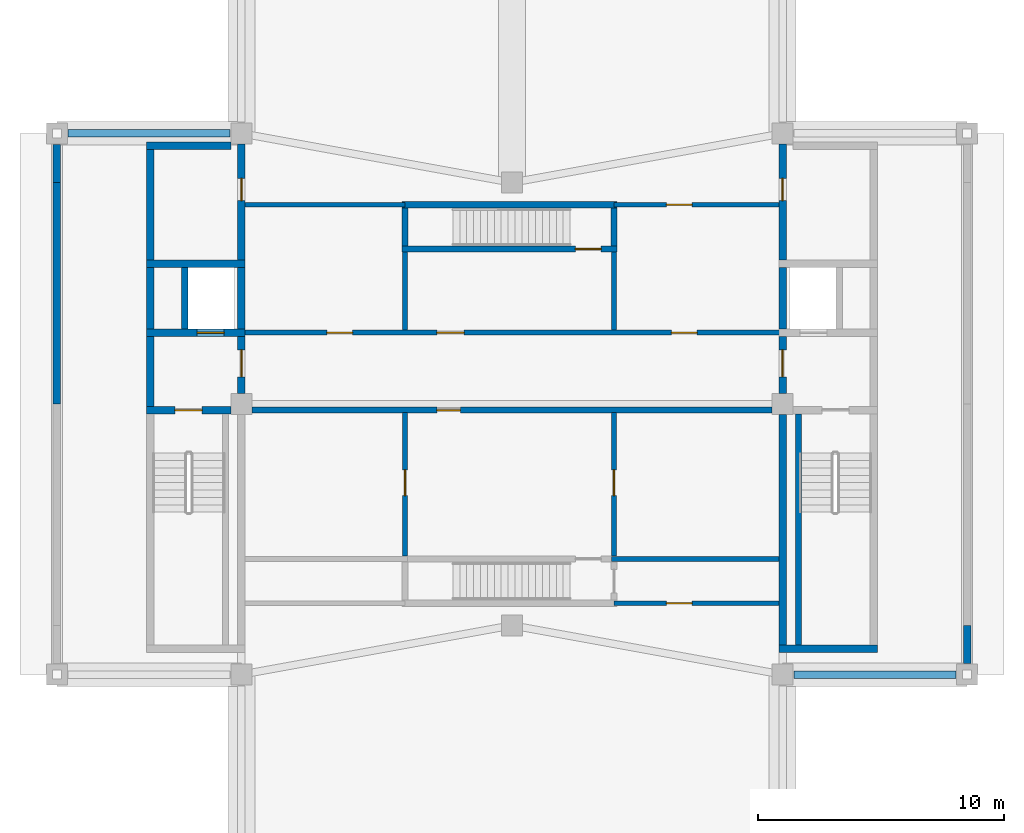
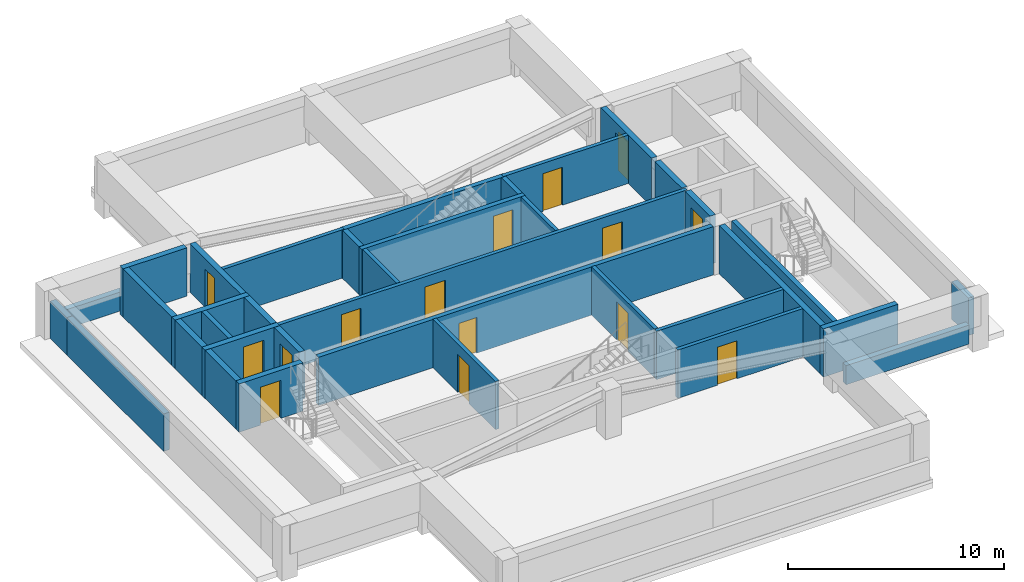
# One storey, part 2 of 4: 36 walls, 15 doors, 15 openings.
"""IFC4 building model written with IfcOpenShell, lengths in metres."""

from ifc_helpers import new_model, si_unit, direction, frame, frame_2d, origin, place, context, subcontext, project, spatial, rectangle, extrude, material, layer, layer_set, type_object, element, fill, save


model = new_model("IFC4")

# Units and contexts
model_context = context("Model", 3, precision=1e-05, world=origin(), true_north=direction((0.0, 1.0)))
body_context = subcontext(model_context, "Body", "Model", "MODEL_VIEW")
ifc_project = project(units=[si_unit("LENGTHUNIT", "METRE"), si_unit("AREAUNIT", "SQUARE_METRE"), si_unit("VOLUMEUNIT", "CUBIC_METRE"), si_unit("PLANEANGLEUNIT", "RADIAN"), si_unit("MASSUNIT", "GRAM", prefix="KILO")], contexts=[model_context])

# Site, building, storey
site_placement = place(None, origin())
site = spatial("IfcSite", under=ifc_project, at=site_placement, CompositionType="ELEMENT")
building_placement = place(site_placement, origin())
building = spatial("IfcBuilding", under=site, at=building_placement, Name="Zulmaris Gate Convention Tower", CompositionType="ELEMENT")
storey_placement = place(building_placement, frame((0.0, 0.0, 284.85986328125)))
storey = spatial("IfcBuildingStorey", under=building, at=storey_placement, Name="L76", CompositionType="ELEMENT", Elevation=284.85986328125)

# Wall, opening, door
ifc_material_1 = material(Name="Concrete C50/60", Category="concrete")
ifc_layer_1 = layer(ifc_material_1, 0.25, Name="Concrete C50/60")
ifc_layer_set_1 = layer_set([ifc_layer_1], Name="Concrete C50/60")
wall_type_1 = type_object("IfcWallType", Name="CORE-250", PredefinedType="SOLIDWALL", material=ifc_layer_set_1)
wall_1_placement = place(storey_placement, frame((-4.47509765625, 6.300048828125, 0.0), z_axis=(0.0, 0.0, 1.0), x_axis=(1.0, 0.0, 0.0)))
wall_1 = element("IfcWall", 1, at=wall_1_placement, inside=storey, type_object=wall_type_1, Name="WL-L76-011", PredefinedType="SOLIDWALL", context=body_context, shape_type="SweptSolid", body=[
    extrude(rectangle(XDim=8.75, YDim=0.25, at=frame_2d((4.375, 0.0))), origin(), (0.0, 0.0, 1.0), 2.735107421875),
])
opening_1_placement = place(wall_1_placement, frame((7.050048828125, 0.0, 0.0)))
opening_1 = element("IfcOpeningElement", 2, at=opening_1_placement, cuts=wall_1, Name="Opening D-09", PredefinedType="OPENING", context=body_context, shape_type="SweptSolid", body=[
    extrude(rectangle(XDim=1.050048828125, YDim=2.14990234375, at=frame_2d((0.52490234375, 1.074951171875))), frame((0.0, 0.135009765625, 0.0), z_axis=(0.0, -1.0, 0.0), x_axis=(1.0, 0.0, 0.0)), (0.0, 0.0, 1.0), 0.27001953125),
])
ifc_material_2 = material(Name="Fire-Rated Steel", Category="steel")
door_type_1 = type_object("IfcDoorType", Name="DR-1050-FD", OperationType="NOTDEFINED", PredefinedType="DOOR", material=ifc_material_2)
door_1_placement = place(opening_1_placement, origin())
door_1 = element("IfcDoor", 3, at=door_1_placement, inside=storey, type_object=door_type_1, Name="L76 Crown Stair ST-8 Door 10", OperationType="SINGLE_SWING_LEFT", OverallHeight=2.14990234375, OverallWidth=1.050048828125, PredefinedType="DOOR", context=body_context, shape_type="SweptSolid", body=[
    extrude(rectangle(XDim=1.050048828125, YDim=2.14990234375, at=frame_2d((0.52490234375, 1.074951171875))), frame((0.0, 0.02490234375, 0.0), z_axis=(0.0, -1.0, 0.0), x_axis=(1.0, 0.0, 0.0)), (0.0, 0.0, 1.0), 0.050048828125),
])
fill(opening_1, door_1)

# Wall
wall_2_placement = place(storey_placement, frame((-4.47509765625, 8.10009765625, 0.0), z_axis=(0.0, 0.0, 1.0), x_axis=(1.0, 0.0, 0.0)))
element("IfcWall", 4, at=wall_2_placement, inside=storey, type_object=wall_type_1, Name="WL-L76-012", PredefinedType="SOLIDWALL", context=body_context, shape_type="SweptSolid", body=[
    extrude(rectangle(XDim=8.75, YDim=0.25, at=frame_2d((4.375, 0.0))), origin(), (0.0, 0.0, 1.0), 2.735107421875),
])

# Wall, opening, door
wall_3_placement = place(storey_placement, frame((-10.569091796875, -0.25, 0.0), z_axis=(0.0, 0.0, 1.0), x_axis=(1.0, 0.0, 0.0)))
wall_3 = element("IfcWall", 5, at=wall_3_placement, inside=storey, type_object=wall_type_1, Name="WL-L76-019", PredefinedType="SOLIDWALL", context=body_context, shape_type="SweptSolid", body=[
    extrude(rectangle(XDim=21.13818359375, YDim=0.25, at=frame_2d((10.569091796875, 0.0))), origin(), (0.0, 0.0, 1.0), 2.735107421875),
])
opening_2_placement = place(wall_3_placement, frame((7.51904296875, 0.0, 0.0)))
opening_2 = element("IfcOpeningElement", 6, at=opening_2_placement, cuts=wall_3, Name="Opening D-25", PredefinedType="OPENING", context=body_context, shape_type="SweptSolid", body=[
    extrude(rectangle(XDim=0.949951171875, YDim=2.02001953125, at=frame_2d((0.47509765625, 1.010009765625))), frame((0.0, 0.135009765625, 0.0), z_axis=(0.0, -1.0, 0.0), x_axis=(1.0, 0.0, 0.0)), (0.0, 0.0, 1.0), 0.27001953125),
])
door_type_2 = type_object("IfcDoorType", Name="DR-950-LOW-FD", OperationType="NOTDEFINED", PredefinedType="DOOR", material=ifc_material_2)
door_2_placement = place(opening_2_placement, origin())
door_2 = element("IfcDoor", 7, at=door_2_placement, inside=storey, type_object=door_type_2, Name="L76 South Crown Passage Door 11", OperationType="SINGLE_SWING_RIGHT", OverallHeight=2.02001953125, OverallWidth=0.949951171875, PredefinedType="DOOR", context=body_context, shape_type="SweptSolid", body=[
    extrude(rectangle(XDim=0.949951171875, YDim=2.02001953125, at=frame_2d((0.47509765625, 1.010009765625))), frame((0.0, 0.02490234375, 0.0), z_axis=(0.0, -1.0, 0.0), x_axis=(1.0, 0.0, 0.0)), (0.0, 0.0, 1.0), 0.050048828125),
])
fill(opening_2, door_2)

# Walls
wall_4_placement = place(storey_placement, frame((-13.300048828125, 3.052001953125, 0.0), z_axis=(0.0, 0.0, 1.0), x_axis=(0.0, 1.0, 0.0)))
element("IfcWall", 8, at=wall_4_placement, inside=storey, type_object=wall_type_1, Name="WL-L76-027", PredefinedType="SOLIDWALL", context=body_context, shape_type="SweptSolid", body=[
    extrude(rectangle(XDim=2.49609375, YDim=0.25, at=frame_2d((1.248046875, 0.0))), origin(), (0.0, 0.0, 1.0), 2.735107421875),
])
for number, where, z_axis, x_axis, name in (
    (9, (-4.35009765625, 6.427001953125, 0.0), (0.0, 0.0, 1.0), (0.0, 1.0, 0.0), "WL-L76-034"),
    (10, (4.14990234375, 6.427001953125, 0.0), (0.0, 0.0, 1.0), (0.0, 1.0, 0.0), "WL-L76-036"),
):
    element("IfcWall", number, at=place(storey_placement, frame(where, z_axis=z_axis, x_axis=x_axis)), inside=storey, type_object=wall_type_1, Name=name, PredefinedType="SOLIDWALL", context=body_context, shape_type="SweptSolid", body=[
        extrude(rectangle(XDim=1.5458984375, YDim=0.25, at=frame_2d((0.77294921875, 0.0))), origin(), (0.0, 0.0, 1.0), 2.735107421875),
    ])
wall_5_placement = place(storey_placement, frame((11.64990234375, -9.798095703125, 0.0), z_axis=(0.0, 0.0, 1.0), x_axis=(0.0, 1.0, 0.0)))
element("IfcWall", 11, at=wall_5_placement, inside=storey, type_object=wall_type_1, Name="WL-L76-041", PredefinedType="SOLIDWALL", context=body_context, shape_type="SweptSolid", body=[
    extrude(rectangle(XDim=9.39599609375, YDim=0.25, at=frame_2d((4.697998046875, 0.0))), origin(), (0.0, 0.0, 1.0), 2.735107421875),
])
ifc_layer_2 = layer(ifc_material_1, 0.300048828125, Name="Concrete C50/60")
ifc_layer_set_2 = layer_set([ifc_layer_2], Name="Concrete C50/60")
wall_type_2 = type_object("IfcWallType", Name="CORE-300", PredefinedType="SHEAR", material=ifc_layer_set_2)
wall_6_placement = place(storey_placement, frame((10.85009765625, -9.949951171875, 0.0), z_axis=(0.0, 0.0, 1.0), x_axis=(1.0, 0.0, 0.0)))
element("IfcWall", 12, at=wall_6_placement, inside=storey, type_object=wall_type_2, Name="WL-L76-002", PredefinedType="SHEAR", context=body_context, shape_type="SweptSolid", body=[
    extrude(rectangle(XDim=4.0, YDim=0.300048828125, at=frame_2d((2.0, 0.0))), origin(), (0.0, 0.0, 1.0), 2.735107421875),
])

# Wall, opening, door
wall_7_placement = place(storey_placement, frame((-14.85009765625, -0.25, 0.0), z_axis=(0.0, 0.0, 1.0), x_axis=(1.0, 0.0, 0.0)))
wall_7 = element("IfcWall", 13, at=wall_7_placement, inside=storey, type_object=wall_type_2, Name="WL-L76-005", PredefinedType="SHEAR", context=body_context, shape_type="SweptSolid", body=[
    extrude(rectangle(XDim=3.421142578125, YDim=0.300048828125, at=frame_2d((1.71044921875, 0.0))), origin(), (0.0, 0.0, 1.0), 2.735107421875),
])
opening_3_placement = place(wall_7_placement, frame((1.14990234375, 0.0, 0.0)))
opening_3 = element("IfcOpeningElement", 14, at=opening_3_placement, cuts=wall_7, Name="Opening D-08", PredefinedType="OPENING", context=body_context, shape_type="SweptSolid", body=[
    extrude(rectangle(XDim=1.10009765625, YDim=2.14990234375, at=frame_2d((0.550048828125, 1.074951171875))), frame((0.0, 0.16015625, 0.0), z_axis=(0.0, -1.0, 0.0), x_axis=(1.0, 0.0, 0.0)), (0.0, 0.0, 1.0), 0.320068359375),
])
door_type_3 = type_object("IfcDoorType", Name="DR-1100-FD", OperationType="NOTDEFINED", PredefinedType="DOOR", material=ifc_material_2)
door_3_placement = place(opening_3_placement, origin())
door_3 = element("IfcDoor", 15, at=door_3_placement, inside=storey, type_object=door_type_3, Name="L76 Exit Stair ST-1 Door 01", OperationType="SINGLE_SWING_RIGHT", OverallHeight=2.14990234375, OverallWidth=1.10009765625, PredefinedType="DOOR", context=body_context, shape_type="SweptSolid", body=[
    extrude(rectangle(XDim=1.10009765625, YDim=2.14990234375, at=frame_2d((0.550048828125, 1.074951171875))), frame((0.0, 0.02490234375, 0.0), z_axis=(0.0, -1.0, 0.0), x_axis=(1.0, 0.0, 0.0)), (0.0, 0.0, 1.0), 0.050048828125),
])
fill(opening_3, door_3)

wall_8_placement = place(storey_placement, frame((-14.85009765625, 2.89990234375, 0.0), z_axis=(0.0, 0.0, 1.0), x_axis=(1.0, 0.0, 0.0)))
wall_8 = element("IfcWall", 16, at=wall_8_placement, inside=storey, type_object=wall_type_2, Name="WL-L76-007", PredefinedType="SHEAR", context=body_context, shape_type="SweptSolid", body=[
    extrude(rectangle(XDim=4.0, YDim=0.300048828125, at=frame_2d((2.0, 0.0))), origin(), (0.0, 0.0, 1.0), 2.735107421875),
])
opening_4_placement = place(wall_8_placement, frame((2.050048828125, 0.0, 0.0)))
opening_4 = element("IfcOpeningElement", 17, at=opening_4_placement, cuts=wall_8, Name="Opening D-06", PredefinedType="OPENING", context=body_context, shape_type="SweptSolid", body=[
    extrude(rectangle(XDim=1.10009765625, YDim=2.199951171875, at=frame_2d((0.550048828125, 1.10009765625))), frame((0.0, 0.16015625, 0.0), z_axis=(0.0, -1.0, 0.0), x_axis=(1.0, 0.0, 0.0)), (0.0, 0.0, 1.0), 0.320068359375),
])
ifc_material_3 = material(Name="Brushed Stainless Steel", Category="steel")
door_type_4 = type_object("IfcDoorType", Name="LD-1100", OperationType="NOTDEFINED", PredefinedType="DOOR", material=ifc_material_3)
door_4_placement = place(opening_4_placement, origin())
door_4 = element("IfcDoor", 18, at=door_4_placement, inside=storey, type_object=door_type_4, Name="L76 Lift Landing Door LF-01 03", OperationType="SLIDING_TO_LEFT", OverallHeight=2.199951171875, OverallWidth=1.10009765625, PredefinedType="DOOR", context=body_context, shape_type="SweptSolid", body=[
    extrude(rectangle(XDim=1.10009765625, YDim=2.199951171875, at=frame_2d((0.550048828125, 1.10009765625))), frame((0.0, 0.02490234375, 0.0), z_axis=(0.0, -1.0, 0.0), x_axis=(1.0, 0.0, 0.0)), (0.0, 0.0, 1.0), 0.050048828125),
])
fill(opening_4, door_4)

# Walls
wall_9_placement = place(storey_placement, frame((-14.85009765625, 5.699951171875, 0.0), z_axis=(0.0, 0.0, 1.0), x_axis=(1.0, 0.0, 0.0)))
element("IfcWall", 19, at=wall_9_placement, inside=storey, type_object=wall_type_2, Name="WL-L76-009", PredefinedType="SHEAR", context=body_context, shape_type="SweptSolid", body=[
    extrude(rectangle(XDim=4.0, YDim=0.300048828125, at=frame_2d((2.0, 0.0))), origin(), (0.0, 0.0, 1.0), 2.735107421875),
])
wall_10_placement = place(storey_placement, frame((-14.85009765625, 10.5, 0.0), z_axis=(0.0, 0.0, 1.0), x_axis=(1.0, 0.0, 0.0)))
element("IfcWall", 20, at=wall_10_placement, inside=storey, type_object=wall_type_2, Name="WL-L76-013", PredefinedType="SHEAR", context=body_context, shape_type="SweptSolid", body=[
    extrude(rectangle(XDim=3.421142578125, YDim=0.300048828125, at=frame_2d((1.71044921875, 0.0))), origin(), (0.0, 0.0, 1.0), 2.735107421875),
])
wall_11_placement = place(storey_placement, frame((-14.699951171875, -0.097900390625, 0.0), z_axis=(0.0, 0.0, 1.0), x_axis=(0.0, 1.0, 0.0)))
element("IfcWall", 21, at=wall_11_placement, inside=storey, type_object=wall_type_2, Name="WL-L76-024", PredefinedType="SHEAR", context=body_context, shape_type="SweptSolid", body=[
    extrude(rectangle(XDim=2.845947265625, YDim=0.300048828125, at=frame_2d((1.4228515625, 0.0))), origin(), (0.0, 0.0, 1.0), 2.735107421875),
])
wall_12_placement = place(storey_placement, frame((-14.699951171875, 3.052001953125, 0.0), z_axis=(0.0, 0.0, 1.0), x_axis=(0.0, 1.0, 0.0)))
element("IfcWall", 22, at=wall_12_placement, inside=storey, type_object=wall_type_2, Name="WL-L76-025", PredefinedType="SHEAR", context=body_context, shape_type="SweptSolid", body=[
    extrude(rectangle(XDim=2.49609375, YDim=0.300048828125, at=frame_2d((1.248046875, 0.0))), origin(), (0.0, 0.0, 1.0), 2.735107421875),
])
wall_13_placement = place(storey_placement, frame((-14.699951171875, 5.85205078125, 0.0), z_axis=(0.0, 0.0, 1.0), x_axis=(0.0, 1.0, 0.0)))
element("IfcWall", 23, at=wall_13_placement, inside=storey, type_object=wall_type_2, Name="WL-L76-026", PredefinedType="SHEAR", context=body_context, shape_type="SweptSolid", body=[
    extrude(rectangle(XDim=4.495849609375, YDim=0.300048828125, at=frame_2d((2.248046875, 0.0))), origin(), (0.0, 0.0, 1.0), 2.735107421875),
])

# Wall, opening, door
wall_14_placement = place(storey_placement, frame((-11.0, 0.428955078125, 0.0), z_axis=(0.0, 0.0, 1.0), x_axis=(0.0, 1.0, 0.0)))
wall_14 = element("IfcWall", 24, at=wall_14_placement, inside=storey, type_object=wall_type_2, Name="WL-L76-030", PredefinedType="SHEAR", context=body_context, shape_type="SweptSolid", body=[
    extrude(rectangle(XDim=2.319091796875, YDim=0.300048828125, at=frame_2d((1.15966796875, 0.0))), origin(), (0.0, 0.0, 1.0), 2.735107421875),
])
opening_5_placement = place(wall_14_placement, frame((0.6708984375, 0.0, 0.0)))
opening_5 = element("IfcOpeningElement", 25, at=opening_5_placement, cuts=wall_14, Name="Opening D-08", PredefinedType="OPENING", context=body_context, shape_type="SweptSolid", body=[
    extrude(rectangle(XDim=1.10009765625, YDim=2.14990234375, at=frame_2d((0.550048828125, 1.074951171875))), frame((0.0, 0.16015625, 0.0), z_axis=(0.0, -1.0, 0.0), x_axis=(1.0, 0.0, 0.0)), (0.0, 0.0, 1.0), 0.320068359375),
])
door_5_placement = place(opening_5_placement, origin())
door_5 = element("IfcDoor", 26, at=door_5_placement, inside=storey, type_object=door_type_3, Name="L76 West Firefighting Lobby Door 02", OperationType="SINGLE_SWING_LEFT", OverallHeight=2.14990234375, OverallWidth=1.10009765625, PredefinedType="DOOR", context=body_context, shape_type="SweptSolid", body=[
    extrude(rectangle(XDim=1.10009765625, YDim=2.14990234375, at=frame_2d((0.550048828125, 1.074951171875))), frame((0.0, 0.02490234375, 0.0), z_axis=(0.0, -1.0, 0.0), x_axis=(1.0, 0.0, 0.0)), (0.0, 0.0, 1.0), 0.050048828125),
])
fill(opening_5, door_5)

# Wall
wall_15_placement = place(storey_placement, frame((-11.0, 3.052001953125, 0.0), z_axis=(0.0, 0.0, 1.0), x_axis=(0.0, 1.0, 0.0)))
element("IfcWall", 27, at=wall_15_placement, inside=storey, type_object=wall_type_2, Name="WL-L76-031", PredefinedType="SHEAR", context=body_context, shape_type="SweptSolid", body=[
    extrude(rectangle(XDim=2.49609375, YDim=0.300048828125, at=frame_2d((1.248046875, 0.0))), origin(), (0.0, 0.0, 1.0), 2.735107421875),
])

# Wall, opening, door
wall_16_placement = place(storey_placement, frame((-11.0, 5.85205078125, 0.0), z_axis=(0.0, 0.0, 1.0), x_axis=(0.0, 1.0, 0.0)))
wall_16 = element("IfcWall", 28, at=wall_16_placement, inside=storey, type_object=wall_type_2, Name="WL-L76-032", PredefinedType="SHEAR", context=body_context, shape_type="SweptSolid", body=[
    extrude(rectangle(XDim=4.718994140625, YDim=0.300048828125, at=frame_2d((2.359375, 0.0))), origin(), (0.0, 0.0, 1.0), 2.735107421875),
])
opening_6_placement = place(wall_16_placement, frame((2.41796875, 0.0, 0.0)))
opening_6 = element("IfcOpeningElement", 29, at=opening_6_placement, cuts=wall_16, Name="Opening D-12", PredefinedType="OPENING", context=body_context, shape_type="SweptSolid", body=[
    extrude(rectangle(XDim=0.89990234375, YDim=2.14990234375, at=frame_2d((0.449951171875, 1.074951171875))), frame((0.0, 0.16015625, 0.0), z_axis=(0.0, -1.0, 0.0), x_axis=(1.0, 0.0, 0.0)), (0.0, 0.0, 1.0), 0.320068359375),
])
ifc_material_4 = material(Name="Fire-Rated Timber", Category="wood")
door_type_5 = type_object("IfcDoorType", Name="DR-900-FD", OperationType="NOTDEFINED", PredefinedType="DOOR", material=ifc_material_4)
door_6_placement = place(opening_6_placement, origin())
door_6 = element("IfcDoor", 30, at=door_6_placement, inside=storey, type_object=door_type_5, Name="L76 Crown Electrical Door 07", OperationType="SINGLE_SWING_RIGHT", OverallHeight=2.14990234375, OverallWidth=0.89990234375, PredefinedType="DOOR", context=body_context, shape_type="SweptSolid", body=[
    extrude(rectangle(XDim=0.89990234375, YDim=2.14990234375, at=frame_2d((0.449951171875, 1.074951171875))), frame((0.0, 0.02490234375, 0.0), z_axis=(0.0, -1.0, 0.0), x_axis=(1.0, 0.0, 0.0)), (0.0, 0.0, 1.0), 0.050048828125),
])
fill(opening_6, door_6)

# Wall
wall_17_placement = place(storey_placement, frame((11.0, -9.798095703125, 0.0), z_axis=(0.0, 0.0, 1.0), x_axis=(0.0, 1.0, 0.0)))
element("IfcWall", 31, at=wall_17_placement, inside=storey, type_object=wall_type_2, Name="WL-L76-037", PredefinedType="SHEAR", context=body_context, shape_type="SweptSolid", body=[
    extrude(rectangle(XDim=9.369140625, YDim=0.300048828125, at=frame_2d((4.6845703125, 0.0))), origin(), (0.0, 0.0, 1.0), 2.735107421875),
])

# Wall, opening, door
wall_18_placement = place(storey_placement, frame((11.0, 0.428955078125, 0.0), z_axis=(0.0, 0.0, 1.0), x_axis=(0.0, 1.0, 0.0)))
wall_18 = element("IfcWall", 32, at=wall_18_placement, inside=storey, type_object=wall_type_2, Name="WL-L76-038", PredefinedType="SHEAR", context=body_context, shape_type="SweptSolid", body=[
    extrude(rectangle(XDim=2.319091796875, YDim=0.300048828125, at=frame_2d((1.15966796875, 0.0))), origin(), (0.0, 0.0, 1.0), 2.735107421875),
])
opening_7_placement = place(wall_18_placement, frame((0.6708984375, 0.0, 0.0)))
opening_7 = element("IfcOpeningElement", 33, at=opening_7_placement, cuts=wall_18, Name="Opening D-08", PredefinedType="OPENING", context=body_context, shape_type="SweptSolid", body=[
    extrude(rectangle(XDim=1.10009765625, YDim=2.14990234375, at=frame_2d((0.550048828125, 1.074951171875))), frame((0.0, 0.16015625, 0.0), z_axis=(0.0, -1.0, 0.0), x_axis=(1.0, 0.0, 0.0)), (0.0, 0.0, 1.0), 0.320068359375),
])
door_7_placement = place(opening_7_placement, origin())
door_7 = element("IfcDoor", 34, at=door_7_placement, inside=storey, type_object=door_type_3, Name="L76 East Firefighting Lobby Door 05", OperationType="SINGLE_SWING_LEFT", OverallHeight=2.14990234375, OverallWidth=1.10009765625, PredefinedType="DOOR", context=body_context, shape_type="SweptSolid", body=[
    extrude(rectangle(XDim=1.10009765625, YDim=2.14990234375, at=frame_2d((0.550048828125, 1.074951171875))), frame((0.0, 0.02490234375, 0.0), z_axis=(0.0, -1.0, 0.0), x_axis=(1.0, 0.0, 0.0)), (0.0, 0.0, 1.0), 0.050048828125),
])
fill(opening_7, door_7)

# Wall
wall_19_placement = place(storey_placement, frame((11.0, 3.052001953125, 0.0), z_axis=(0.0, 0.0, 1.0), x_axis=(0.0, 1.0, 0.0)))
element("IfcWall", 35, at=wall_19_placement, inside=storey, type_object=wall_type_2, Name="WL-L76-039", PredefinedType="SHEAR", context=body_context, shape_type="SweptSolid", body=[
    extrude(rectangle(XDim=2.49609375, YDim=0.300048828125, at=frame_2d((1.248046875, 0.0))), origin(), (0.0, 0.0, 1.0), 2.735107421875),
])

# Wall, opening, door
wall_20_placement = place(storey_placement, frame((11.0, 5.85205078125, 0.0), z_axis=(0.0, 0.0, 1.0), x_axis=(0.0, 1.0, 0.0)))
wall_20 = element("IfcWall", 36, at=wall_20_placement, inside=storey, type_object=wall_type_2, Name="WL-L76-040", PredefinedType="SHEAR", context=body_context, shape_type="SweptSolid", body=[
    extrude(rectangle(XDim=4.718994140625, YDim=0.300048828125, at=frame_2d((2.359375, 0.0))), origin(), (0.0, 0.0, 1.0), 2.735107421875),
])
opening_8_placement = place(wall_20_placement, frame((2.41796875, 0.0, 0.0)))
opening_8 = element("IfcOpeningElement", 37, at=opening_8_placement, cuts=wall_20, Name="Opening D-12", PredefinedType="OPENING", context=body_context, shape_type="SweptSolid", body=[
    extrude(rectangle(XDim=0.89990234375, YDim=2.14990234375, at=frame_2d((0.449951171875, 1.074951171875))), frame((0.0, 0.16015625, 0.0), z_axis=(0.0, -1.0, 0.0), x_axis=(1.0, 0.0, 0.0)), (0.0, 0.0, 1.0), 0.320068359375),
])
door_8_placement = place(opening_8_placement, origin())
door_8 = element("IfcDoor", 38, at=door_8_placement, inside=storey, type_object=door_type_5, Name="L76 Crown Telecom Door 08", OperationType="SINGLE_SWING_LEFT", OverallHeight=2.14990234375, OverallWidth=0.89990234375, PredefinedType="DOOR", context=body_context, shape_type="SweptSolid", body=[
    extrude(rectangle(XDim=0.89990234375, YDim=2.14990234375, at=frame_2d((0.449951171875, 1.074951171875))), frame((0.0, 0.02490234375, 0.0), z_axis=(0.0, -1.0, 0.0), x_axis=(1.0, 0.0, 0.0)), (0.0, 0.0, 1.0), 0.050048828125),
])
fill(opening_8, door_8)

ifc_material_5 = material(Name="Autoclaved Aerated Concrete Block and Plasterboard", Category="concrete")
ifc_layer_3 = layer(ifc_material_5, 0.199951171875, Name="Autoclaved Aerated Concrete Block and Plasterboard")
ifc_layer_set_3 = layer_set([ifc_layer_3], Name="Autoclaved Aerated Concrete Block and Plasterboard")
wall_type_3 = type_object("IfcWallType", Name="PART-200", PredefinedType="PARTITIONING", material=ifc_layer_set_3)
wall_21_placement = place(storey_placement, frame((4.14990234375, -8.10009765625, 0.0), z_axis=(0.0, 0.0, 1.0), x_axis=(1.0, 0.0, 0.0)))
wall_21 = element("IfcWall", 39, at=wall_21_placement, inside=storey, type_object=wall_type_3, Name="WL-L76-016", PredefinedType="PARTITIONING", context=body_context, shape_type="SweptSolid", body=[
    extrude(rectangle(XDim=6.697021484375, YDim=0.199951171875, at=frame_2d((3.3486328125, 0.0))), origin(), (0.0, 0.0, 1.0), 2.735107421875),
])
opening_9_placement = place(wall_21_placement, frame((2.125, 0.0, 0.0)))
opening_9 = element("IfcOpeningElement", 40, at=opening_9_placement, cuts=wall_21, Name="Opening D-09", PredefinedType="OPENING", context=body_context, shape_type="SweptSolid", body=[
    extrude(rectangle(XDim=1.050048828125, YDim=2.14990234375, at=frame_2d((0.52490234375, 1.074951171875))), frame((0.0, 0.10986328125, 0.0), z_axis=(0.0, -1.0, 0.0), x_axis=(1.0, 0.0, 0.0)), (0.0, 0.0, 1.0), 0.219970703125),
])
door_9_placement = place(opening_9_placement, origin())
door_9 = element("IfcDoor", 41, at=door_9_placement, inside=storey, type_object=door_type_1, Name="L76 Cooling Plant Door 19", OperationType="SINGLE_SWING_RIGHT", OverallHeight=2.14990234375, OverallWidth=1.050048828125, PredefinedType="DOOR", context=body_context, shape_type="SweptSolid", body=[
    extrude(rectangle(XDim=1.050048828125, YDim=2.14990234375, at=frame_2d((0.52490234375, 1.074951171875))), frame((0.0, 0.02490234375, 0.0), z_axis=(0.0, -1.0, 0.0), x_axis=(1.0, 0.0, 0.0)), (0.0, 0.0, 1.0), 0.050048828125),
])
fill(opening_9, door_9)

# Wall
wall_22_placement = place(storey_placement, frame((4.050048828125, -6.300048828125, 0.0), z_axis=(0.0, 0.0, 1.0), x_axis=(1.0, 0.0, 0.0)))
element("IfcWall", 42, at=wall_22_placement, inside=storey, type_object=wall_type_3, Name="WL-L76-018", PredefinedType="PARTITIONING", context=body_context, shape_type="SweptSolid", body=[
    extrude(rectangle(XDim=6.796875, YDim=0.199951171875, at=frame_2d((3.3984375, 0.0))), origin(), (0.0, 0.0, 1.0), 2.735107421875),
])

# Wall, openings, doors
wall_23_placement = place(storey_placement, frame((-11.0, 2.89990234375, 0.0), z_axis=(0.0, 0.0, 1.0), x_axis=(1.0, 0.0, 0.0)))
wall_23 = element("IfcWall", 43, at=wall_23_placement, inside=storey, type_object=wall_type_3, Name="WL-L76-020", PredefinedType="PARTITIONING", context=body_context, shape_type="SweptSolid", body=[
    extrude(rectangle(XDim=22.0, YDim=0.199951171875, at=frame_2d((11.0, 0.0))), origin(), (0.0, 0.0, 1.0), 2.735107421875),
])
opening_10_placement = place(wall_23_placement, frame((7.949951171875, 0.0, 0.0)))
opening_10 = element("IfcOpeningElement", 44, at=opening_10_placement, cuts=wall_23, Name="Opening D-08", PredefinedType="OPENING", context=body_context, shape_type="SweptSolid", body=[
    extrude(rectangle(XDim=1.10009765625, YDim=2.14990234375, at=frame_2d((0.550048828125, 1.074951171875))), frame((0.0, 0.10986328125, 0.0), z_axis=(0.0, -1.0, 0.0), x_axis=(1.0, 0.0, 0.0)), (0.0, 0.0, 1.0), 0.219970703125),
])
opening_11_placement = place(wall_23_placement, frame((17.47509765625, 0.0, 0.0)))
opening_11 = element("IfcOpeningElement", 45, at=opening_11_placement, cuts=wall_23, Name="Opening D-09", PredefinedType="OPENING", context=body_context, shape_type="SweptSolid", body=[
    extrude(rectangle(XDim=1.050048828125, YDim=2.14990234375, at=frame_2d((0.52490234375, 1.074951171875))), frame((0.0, 0.10986328125, 0.0), z_axis=(0.0, -1.0, 0.0), x_axis=(1.0, 0.0, 0.0)), (0.0, 0.0, 1.0), 0.219970703125),
])
opening_12_placement = place(wall_23_placement, frame((3.47509765625, 0.0, 0.0)))
opening_12 = element("IfcOpeningElement", 46, at=opening_12_placement, cuts=wall_23, Name="Opening D-09", PredefinedType="OPENING", context=body_context, shape_type="SweptSolid", body=[
    extrude(rectangle(XDim=1.050048828125, YDim=2.14990234375, at=frame_2d((0.52490234375, 1.074951171875))), frame((0.0, 0.10986328125, 0.0), z_axis=(0.0, -1.0, 0.0), x_axis=(1.0, 0.0, 0.0)), (0.0, 0.0, 1.0), 0.219970703125),
])
door_10_placement = place(opening_11_placement, origin())
door_10 = element("IfcDoor", 47, at=door_10_placement, inside=storey, type_object=door_type_1, Name="L76 East Crown Plant Door 15", OperationType="SINGLE_SWING_RIGHT", OverallHeight=2.14990234375, OverallWidth=1.050048828125, PredefinedType="DOOR", context=body_context, shape_type="SweptSolid", body=[
    extrude(rectangle(XDim=1.050048828125, YDim=2.14990234375, at=frame_2d((0.52490234375, 1.074951171875))), frame((0.0, 0.02490234375, 0.0), z_axis=(0.0, -1.0, 0.0), x_axis=(1.0, 0.0, 0.0)), (0.0, 0.0, 1.0), 0.050048828125),
])
fill(opening_11, door_10)
door_11_placement = place(opening_12_placement, origin())
door_11 = element("IfcDoor", 48, at=door_11_placement, inside=storey, type_object=door_type_1, Name="L76 BMS Telemetry Door 17", OperationType="SINGLE_SWING_RIGHT", OverallHeight=2.14990234375, OverallWidth=1.050048828125, PredefinedType="DOOR", context=body_context, shape_type="SweptSolid", body=[
    extrude(rectangle(XDim=1.050048828125, YDim=2.14990234375, at=frame_2d((0.52490234375, 1.074951171875))), frame((0.0, 0.02490234375, 0.0), z_axis=(0.0, -1.0, 0.0), x_axis=(1.0, 0.0, 0.0)), (0.0, 0.0, 1.0), 0.050048828125),
])
fill(opening_12, door_11)
door_12_placement = place(opening_10_placement, origin())
door_12 = element("IfcDoor", 49, at=door_12_placement, inside=storey, type_object=door_type_3, Name="L76 North Crown Passage Door 12", OperationType="SINGLE_SWING_LEFT", OverallHeight=2.14990234375, OverallWidth=1.10009765625, PredefinedType="DOOR", context=body_context, shape_type="SweptSolid", body=[
    extrude(rectangle(XDim=1.10009765625, YDim=2.14990234375, at=frame_2d((0.550048828125, 1.074951171875))), frame((0.0, 0.02490234375, 0.0), z_axis=(0.0, -1.0, 0.0), x_axis=(1.0, 0.0, 0.0)), (0.0, 0.0, 1.0), 0.050048828125),
])
fill(opening_10, door_12)

# Wall
wall_24_placement = place(storey_placement, frame((-10.846923828125, 8.10009765625, 0.0), z_axis=(0.0, 0.0, 1.0), x_axis=(1.0, 0.0, 0.0)))
element("IfcWall", 50, at=wall_24_placement, inside=storey, type_object=wall_type_3, Name="WL-L76-021", PredefinedType="PARTITIONING", context=body_context, shape_type="SweptSolid", body=[
    extrude(rectangle(XDim=6.496826171875, YDim=0.199951171875, at=frame_2d((3.24853515625, 0.0))), origin(), (0.0, 0.0, 1.0), 2.735107421875),
])

# Wall, opening, door
wall_25_placement = place(storey_placement, frame((4.14990234375, 8.10009765625, 0.0), z_axis=(0.0, 0.0, 1.0), x_axis=(1.0, 0.0, 0.0)))
wall_25 = element("IfcWall", 51, at=wall_25_placement, inside=storey, type_object=wall_type_3, Name="WL-L76-022", PredefinedType="PARTITIONING", context=body_context, shape_type="SweptSolid", body=[
    extrude(rectangle(XDim=6.697021484375, YDim=0.199951171875, at=frame_2d((3.3486328125, 0.0))), origin(), (0.0, 0.0, 1.0), 2.735107421875),
])
opening_13_placement = place(wall_25_placement, frame((2.125, 0.0, 0.0)))
opening_13 = element("IfcOpeningElement", 52, at=opening_13_placement, cuts=wall_25, Name="Opening D-09", PredefinedType="OPENING", context=body_context, shape_type="SweptSolid", body=[
    extrude(rectangle(XDim=1.050048828125, YDim=2.14990234375, at=frame_2d((0.52490234375, 1.074951171875))), frame((0.0, 0.10986328125, 0.0), z_axis=(0.0, -1.0, 0.0), x_axis=(1.0, 0.0, 0.0)), (0.0, 0.0, 1.0), 0.219970703125),
])
door_13_placement = place(opening_13_placement, origin())
door_13 = element("IfcDoor", 53, at=door_13_placement, inside=storey, type_object=door_type_1, Name="L76 Water Tank Room Door 16", OperationType="SINGLE_SWING_LEFT", OverallHeight=2.14990234375, OverallWidth=1.050048828125, PredefinedType="DOOR", context=body_context, shape_type="SweptSolid", body=[
    extrude(rectangle(XDim=1.050048828125, YDim=2.14990234375, at=frame_2d((0.52490234375, 1.074951171875))), frame((0.0, 0.02490234375, 0.0), z_axis=(0.0, -1.0, 0.0), x_axis=(1.0, 0.0, 0.0)), (0.0, 0.0, 1.0), 0.050048828125),
])
fill(opening_13, door_13)

wall_26_placement = place(storey_placement, frame((-4.35009765625, -6.172119140625, 0.0), z_axis=(0.0, 0.0, 1.0), x_axis=(0.0, 1.0, 0.0)))
wall_26 = element("IfcWall", 54, at=wall_26_placement, inside=storey, type_object=wall_type_3, Name="WL-L76-047", PredefinedType="PARTITIONING", context=body_context, shape_type="SweptSolid", body=[
    extrude(rectangle(XDim=5.819091796875, YDim=0.199951171875, at=frame_2d((2.90966796875, 0.0))), origin(), (0.0, 0.0, 1.0), 2.735107421875),
])
opening_14_placement = place(wall_26_placement, frame((2.447021484375, 0.0, 0.0)))
opening_14 = element("IfcOpeningElement", 55, at=opening_14_placement, cuts=wall_26, Name="Opening D-09", PredefinedType="OPENING", context=body_context, shape_type="SweptSolid", body=[
    extrude(rectangle(XDim=1.050048828125, YDim=2.14990234375, at=frame_2d((0.52490234375, 1.074951171875))), frame((0.0, 0.10986328125, 0.0), z_axis=(0.0, -1.0, 0.0), x_axis=(1.0, 0.0, 0.0)), (0.0, 0.0, 1.0), 0.219970703125),
])
door_14_placement = place(opening_14_placement, origin())
door_14 = element("IfcDoor", 56, at=door_14_placement, inside=storey, type_object=door_type_1, Name="L76 Chiller Plant Door 13", OperationType="SINGLE_SWING_RIGHT", OverallHeight=2.14990234375, OverallWidth=1.050048828125, PredefinedType="DOOR", context=body_context, shape_type="SweptSolid", body=[
    extrude(rectangle(XDim=1.050048828125, YDim=2.14990234375, at=frame_2d((0.52490234375, 1.074951171875))), frame((0.0, 0.02490234375, 0.0), z_axis=(0.0, -1.0, 0.0), x_axis=(1.0, 0.0, 0.0)), (0.0, 0.0, 1.0), 0.050048828125),
])
fill(opening_14, door_14)

# Wall
wall_27_placement = place(storey_placement, frame((-4.35009765625, 3.0029296875, 0.0), z_axis=(0.0, 0.0, 1.0), x_axis=(0.0, 1.0, 0.0)))
element("IfcWall", 57, at=wall_27_placement, inside=storey, type_object=wall_type_3, Name="WL-L76-048", PredefinedType="PARTITIONING", context=body_context, shape_type="SweptSolid", body=[
    extrude(rectangle(XDim=3.169189453125, YDim=0.199951171875, at=frame_2d((1.58447265625, 0.0))), origin(), (0.0, 0.0, 1.0), 2.735107421875),
])

# Wall, opening, door
wall_28_placement = place(storey_placement, frame((4.14990234375, -6.172119140625, 0.0), z_axis=(0.0, 0.0, 1.0), x_axis=(0.0, 1.0, 0.0)))
wall_28 = element("IfcWall", 58, at=wall_28_placement, inside=storey, type_object=wall_type_3, Name="WL-L76-049", PredefinedType="PARTITIONING", context=body_context, shape_type="SweptSolid", body=[
    extrude(rectangle(XDim=5.819091796875, YDim=0.199951171875, at=frame_2d((2.90966796875, 0.0))), origin(), (0.0, 0.0, 1.0), 2.735107421875),
])
opening_15_placement = place(wall_28_placement, frame((2.447021484375, 0.0, 0.0)))
opening_15 = element("IfcOpeningElement", 59, at=opening_15_placement, cuts=wall_28, Name="Opening D-09", PredefinedType="OPENING", context=body_context, shape_type="SweptSolid", body=[
    extrude(rectangle(XDim=1.050048828125, YDim=2.14990234375, at=frame_2d((0.52490234375, 1.074951171875))), frame((0.0, 0.10986328125, 0.0), z_axis=(0.0, -1.0, 0.0), x_axis=(1.0, 0.0, 0.0)), (0.0, 0.0, 1.0), 0.219970703125),
])
door_15_placement = place(opening_15_placement, origin())
door_15 = element("IfcDoor", 60, at=door_15_placement, inside=storey, type_object=door_type_1, Name="L76 Crown AHU Door 14", OperationType="SINGLE_SWING_LEFT", OverallHeight=2.14990234375, OverallWidth=1.050048828125, PredefinedType="DOOR", context=body_context, shape_type="SweptSolid", body=[
    extrude(rectangle(XDim=1.050048828125, YDim=2.14990234375, at=frame_2d((0.52490234375, 1.074951171875))), frame((0.0, 0.02490234375, 0.0), z_axis=(0.0, -1.0, 0.0), x_axis=(1.0, 0.0, 0.0)), (0.0, 0.0, 1.0), 0.050048828125),
])
fill(opening_15, door_15)

# Walls
wall_29_placement = place(storey_placement, frame((4.14990234375, 3.0029296875, 0.0), z_axis=(0.0, 0.0, 1.0), x_axis=(0.0, 1.0, 0.0)))
element("IfcWall", 61, at=wall_29_placement, inside=storey, type_object=wall_type_3, Name="WL-L76-050", PredefinedType="PARTITIONING", context=body_context, shape_type="SweptSolid", body=[
    extrude(rectangle(XDim=3.169189453125, YDim=0.199951171875, at=frame_2d((1.58447265625, 0.0))), origin(), (0.0, 0.0, 1.0), 2.735107421875),
])
ifc_material_6 = material(Name="Precast concrete C40/50", Category="concrete")
ifc_layer_4 = layer(ifc_material_6, 0.300048828125, Name="Precast concrete C40/50")
ifc_layer_set_4 = layer_set([ifc_layer_4], Name="Precast concrete C40/50")
wall_type_4 = type_object("IfcWallType", Name="PRECAST-CROWN-300", PredefinedType="STANDARD", material=ifc_layer_set_4)
wall_30_placement = place(storey_placement, frame((18.5, -10.544921875, 0.0), z_axis=(0.0, 0.0, 1.0), x_axis=(0.0, 1.0, 0.0)))
element("IfcWall", 62, at=wall_30_placement, inside=storey, type_object=wall_type_4, Name="EW-L76-CR-E0_0", PredefinedType="STANDARD", context=body_context, shape_type="SweptSolid", body=[
    extrude(rectangle(XDim=1.544921875, YDim=0.300048828125, at=frame_2d((0.7724609375, 0.0))), origin(), (0.0, 0.0, 1.0), 2.126953125),
])
wall_31_placement = place(storey_placement, frame((-18.5, 9.0, 0.0), z_axis=(0.0, 0.0, 1.0), x_axis=(0.0, -1.0, 0.0)))
element("IfcWall", 63, at=wall_31_placement, inside=storey, type_object=wall_type_4, Name="EW-L76-CR-W2_0", PredefinedType="STANDARD", context=body_context, shape_type="SweptSolid", body=[
    extrude(rectangle(XDim=9.0, YDim=0.300048828125, at=frame_2d((4.5, 0.0))), origin(), (0.0, 0.0, 1.0), 2.126953125),
])
wall_32_placement = place(storey_placement, frame((-18.5, 10.544921875, 0.0), z_axis=(0.0, 0.0, 1.0), x_axis=(0.0, -1.0, 0.0)))
element("IfcWall", 64, at=wall_32_placement, inside=storey, type_object=wall_type_4, Name="EW-L76-CR-W3_0", PredefinedType="STANDARD", context=body_context, shape_type="SweptSolid", body=[
    extrude(rectangle(XDim=1.544921875, YDim=0.300048828125, at=frame_2d((0.7724609375, 0.0))), origin(), (0.0, 0.0, 1.0), 2.126953125),
])
for number, where, z_axis, x_axis, name in (
    (65, (11.455078125, -11.0, 0.0), (0.0, 0.0, 1.0), (1.0, 0.0, 0.0), "EW-L76-CR-SE2_0"),
    (66, (-11.455078125, 11.0, 0.0), (0.0, 0.0, 1.0), (-1.0, 0.0, 0.0), "EW-L76-CR-NW2_0"),
):
    element("IfcWall", number, at=place(storey_placement, frame(where, z_axis=z_axis, x_axis=x_axis)), inside=storey, type_object=wall_type_4, Name=name, PredefinedType="STANDARD", context=body_context, shape_type="SweptSolid", body=[
        extrude(rectangle(XDim=6.58984375, YDim=0.300048828125, at=frame_2d((3.294921875, 0.0))), origin(), (0.0, 0.0, 1.0), 1.0771484375),
    ])

save(model, "model.ifc")
